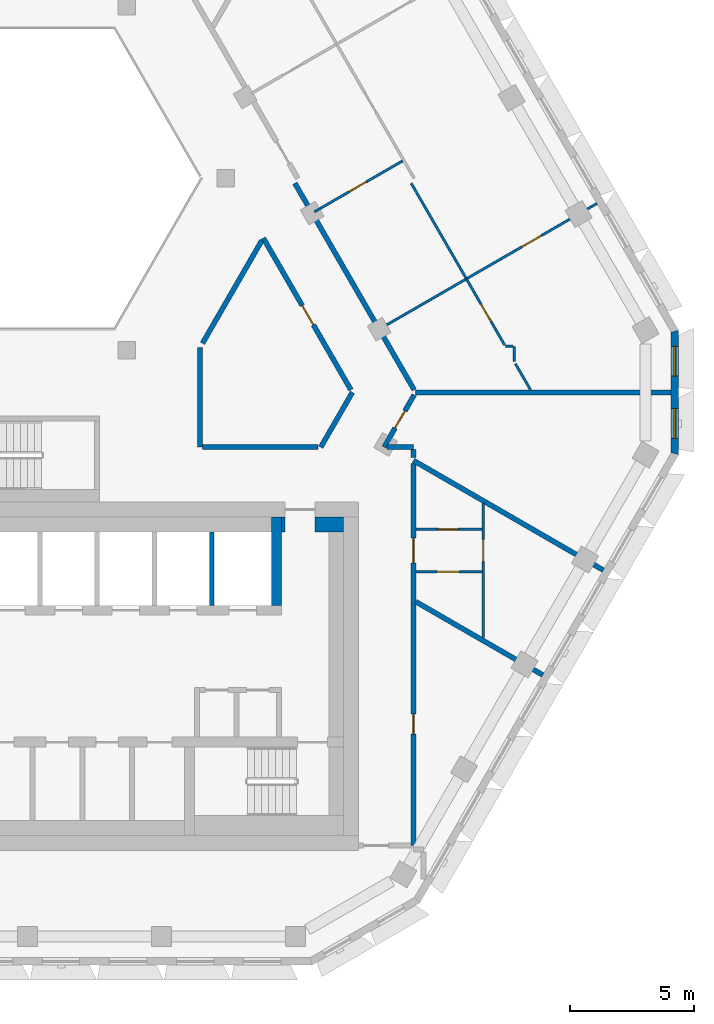
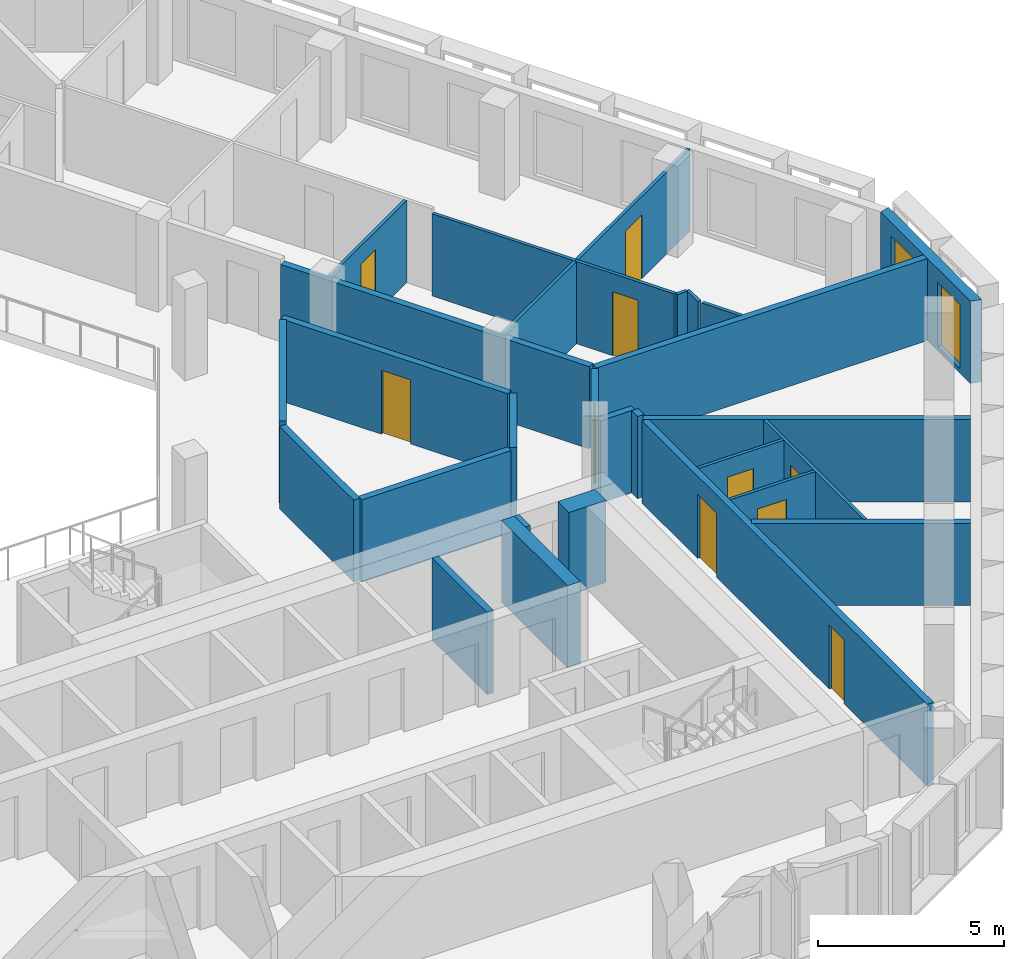
# One storey, part 6 of 17: 28 walls, 10 doors, 2 windows, 12 openings.
"""IFC4 building model written with IfcOpenShell, lengths in metres."""

from ifc_helpers import new_model, si_unit, direction, frame, frame_2d, origin, place, context, subcontext, project, spatial, polyline, rectangle, outline, extrude, material, layer, layer_set, type_object, element, fill, save


model = new_model("IFC4")

# Units and contexts
model_context = context("Model", 3, precision=1e-05, world=origin(), true_north=direction((0.0, 1.0)))
body_context = subcontext(model_context, "Body", "Model", "MODEL_VIEW")
ifc_project = project(units=[si_unit("LENGTHUNIT", "METRE"), si_unit("AREAUNIT", "SQUARE_METRE"), si_unit("VOLUMEUNIT", "CUBIC_METRE"), si_unit("PLANEANGLEUNIT", "RADIAN"), si_unit("MASSUNIT", "GRAM", prefix="KILO")], contexts=[model_context])

# Site, building, storey
site_placement = place(None, origin())
site = spatial("IfcSite", under=ifc_project, at=site_placement, CompositionType="ELEMENT")
building_placement = place(site_placement, origin())
building = spatial("IfcBuilding", under=site, at=building_placement, Name="Beryl Residences", CompositionType="ELEMENT")
storey_placement = place(building_placement, frame((0.0, 0.0, 172.199951171875)))
storey = spatial("IfcBuildingStorey", under=building, at=storey_placement, Name="L52", CompositionType="ELEMENT", Elevation=172.199951171875)

# Wall, openings, windows
ifc_material_1 = material(Name="Composite metal panel with mineral wool insulation")
ifc_layer_1 = layer(ifc_material_1, 0.300048828125)
ifc_layer_set_1 = layer_set([ifc_layer_1], Name="ES1 pale metal composite panel wall 300 mm")
wall_type_1 = type_object("IfcWallType", Name="ES1 pale metal composite panel wall 300 mm", PredefinedType="SOLIDWALL", material=ifc_layer_set_1)
wall_1_placement = place(storey_placement, frame((26.00390625, -3.10009765625, 0.0), z_axis=(0.0, 0.0, 1.0), x_axis=(0.0, 1.0, 0.0)))
wall_1 = element("IfcWall", 1, at=wall_1_placement, inside=storey, type_object=wall_type_1, Name="ES1 external wall L52 SE-NE", PredefinedType="SOLIDWALL", context=body_context, shape_type="SweptSolid", body=[
    extrude(outline(polyline([(0.0, -0.14990234375), (5.0, -0.14990234375), (4.919677734375, 0.14990234375), (0.080322265625, 0.14990234375), (0.0, -0.14990234375)])), origin(), (0.0, 0.0, 1.0), 2.699951171875),
])
opening_1_placement = place(wall_1_placement, frame((0.64990234375, 0.0, 0.14990234375)))
opening_1 = element("IfcOpeningElement", 2, at=opening_1_placement, cuts=wall_1, Name="Opening W2", PredefinedType="OPENING", context=body_context, shape_type="SweptSolid", body=[
    extrude(rectangle(XDim=1.199951171875, YDim=2.10009765625, at=frame_2d((0.60009765625, 1.050048828125))), frame((0.0, 0.159912109375, 0.0), z_axis=(0.0, -1.0, 0.0), x_axis=(1.0, 0.0, 0.0)), (0.0, 0.0, 1.0), 0.320068359375),
])
opening_2_placement = place(wall_1_placement, frame((3.14990234375, 0.0, 0.14990234375)))
opening_2 = element("IfcOpeningElement", 3, at=opening_2_placement, cuts=wall_1, Name="Opening W2", PredefinedType="OPENING", context=body_context, shape_type="SweptSolid", body=[
    extrude(rectangle(XDim=1.199951171875, YDim=2.10009765625, at=frame_2d((0.60009765625, 1.050048828125))), frame((0.0, 0.159912109375, 0.0), z_axis=(0.0, -1.0, 0.0), x_axis=(1.0, 0.0, 0.0)), (0.0, 0.0, 1.0), 0.320068359375),
])
ifc_material_2 = material(Name="Aluminium and clear glass", Category="aluminium")
window_type = type_object("IfcWindowType", Name="W2 chamfer window 1200 x 2100 mm", PartitioningType="SINGLE_PANEL", PredefinedType="WINDOW", material=ifc_material_2)
window_1_placement = place(opening_1_placement, origin())
window_1 = element("IfcWindow", 4, at=window_1_placement, inside=storey, type_object=window_type, Name="W2 window L52 SE-NE 1", OverallHeight=2.10009765625, OverallWidth=1.199951171875, PartitioningType="SINGLE_PANEL", PredefinedType="WINDOW", context=body_context, shape_type="SweptSolid", body=[
    extrude(rectangle(XDim=1.199951171875, YDim=2.10009765625, at=frame_2d((0.60009765625, 1.050048828125))), frame((0.0, 0.030029296875, 0.0), z_axis=(0.0, -1.0, 0.0), x_axis=(1.0, 0.0, 0.0)), (0.0, 0.0, 1.0), 0.06005859375),
])
fill(opening_1, window_1)
window_2_placement = place(opening_2_placement, origin())
window_2 = element("IfcWindow", 5, at=window_2_placement, inside=storey, type_object=window_type, Name="W2 window L52 SE-NE 2", OverallHeight=2.10009765625, OverallWidth=1.199951171875, PartitioningType="SINGLE_PANEL", PredefinedType="WINDOW", context=body_context, shape_type="SweptSolid", body=[
    extrude(rectangle(XDim=1.199951171875, YDim=2.10009765625, at=frame_2d((0.60009765625, 1.050048828125))), frame((0.0, 0.030029296875, 0.0), z_axis=(0.0, -1.0, 0.0), x_axis=(1.0, 0.0, 0.0)), (0.0, 0.0, 1.0), 0.06005859375),
])
fill(opening_2, window_2)

# Walls
ifc_material_3 = material(Name="Gypsum board partition on steel studs", Category="steel")
ifc_layer_2 = layer(ifc_material_3, 0.10009765625)
ifc_layer_set_2 = layer_set([ifc_layer_2], Name="PT1 partition 100 mm gypsum board on steel studs")
wall_type_2 = type_object("IfcWallType", Name="PT1 partition 100 mm gypsum board on steel studs", PredefinedType="PARTITIONING", material=ifc_layer_set_2)
wall_2_placement = place(storey_placement, frame((15.412109375, 7.800048828125, 0.0), z_axis=(0.0, 0.0, 1.0), x_axis=(0.499882970317, -0.866092960361, 0.0)))
element("IfcWall", 6, at=wall_2_placement, inside=storey, type_object=wall_type_2, Name="Wall PT1 L52 002", PredefinedType="PARTITIONING", context=body_context, shape_type="SweptSolid", body=[
    extrude(rectangle(XDim=4.4326171875, YDim=0.10009765625, at=frame_2d((2.21630859375, 0.0))), origin(), (0.0, 0.0, 1.0), 2.699951171875),
])
wall_3_placement = place(storey_placement, frame((19.596923828125, 0.551025390625, 0.0), z_axis=(0.0, 0.0, 1.0), x_axis=(0.500576018574, -0.86569258379, 0.0)))
element("IfcWall", 7, at=wall_3_placement, inside=storey, type_object=wall_type_2, Name="Wall PT1 L52 003", PredefinedType="PARTITIONING", context=body_context, shape_type="SweptSolid", body=[
    extrude(rectangle(XDim=1.212890625, YDim=0.10009765625, at=frame_2d((0.6064453125, 0.0))), origin(), (0.0, 0.0, 1.0), 2.699951171875),
])

# Wall, opening, door
wall_4_placement = place(storey_placement, frame((15.60009765625, -6.10107421875, 0.0), z_axis=(0.0, 0.0, 1.0), x_axis=(1.0, 0.0, 0.0)))
wall_4 = element("IfcWall", 8, at=wall_4_placement, inside=storey, type_object=wall_type_2, Name="Wall PT1 L52 013", PredefinedType="PARTITIONING", context=body_context, shape_type="SweptSolid", body=[
    extrude(rectangle(XDim=2.64990234375, YDim=0.10009765625, at=frame_2d((1.324951171875, 0.0))), origin(), (0.0, 0.0, 1.0), 2.699951171875),
])
opening_3_placement = place(wall_4_placement, frame((0.89990234375, 0.0, 0.0)))
opening_3 = element("IfcOpeningElement", 9, at=opening_3_placement, cuts=wall_4, Name="Opening D1422", PredefinedType="OPENING", context=body_context, shape_type="SweptSolid", body=[
    extrude(rectangle(XDim=0.800048828125, YDim=2.10009765625, at=frame_2d((0.39990234375, 1.050048828125))), frame((0.0, 0.06005859375, 0.0), z_axis=(0.0, -1.0, 0.0), x_axis=(1.0, 0.0, 0.0)), (0.0, 0.0, 1.0), 0.1201171875),
])
ifc_material_4 = material(Name="Timber door leaf", Category="wood")
door_type_1 = type_object("IfcDoorType", Name="D3 bathroom door 800 x 2100 mm", OperationType="SINGLE_SWING_LEFT", PredefinedType="DOOR", material=ifc_material_4)
door_1_placement = place(opening_3_placement, origin())
door_1 = element("IfcDoor", 10, at=door_1_placement, inside=storey, type_object=door_type_1, Name="Door D1422 L52 001", OperationType="SINGLE_SWING_RIGHT", OverallHeight=2.10009765625, OverallWidth=0.800048828125, PredefinedType="DOOR", context=body_context, shape_type="SweptSolid", body=[
    extrude(rectangle(XDim=0.800048828125, YDim=2.10009765625, at=frame_2d((0.39990234375, 1.050048828125))), frame((0.0, 0.02490234375, 0.0), z_axis=(0.0, -1.0, 0.0), x_axis=(1.0, 0.0, 0.0)), (0.0, 0.0, 1.0), 0.050048828125),
])
fill(opening_3, door_1)

wall_5_placement = place(storey_placement, frame((15.60009765625, -7.801025390625, 0.0), z_axis=(0.0, 0.0, 1.0), x_axis=(1.0, 0.0, 0.0)))
wall_5 = element("IfcWall", 11, at=wall_5_placement, inside=storey, type_object=wall_type_2, Name="Wall PT1 L52 014", PredefinedType="PARTITIONING", context=body_context, shape_type="SweptSolid", body=[
    extrude(rectangle(XDim=2.64990234375, YDim=0.10009765625, at=frame_2d((1.324951171875, 0.0))), origin(), (0.0, 0.0, 1.0), 2.699951171875),
])
opening_4_placement = place(wall_5_placement, frame((0.85009765625, 0.0, 0.0)))
opening_4 = element("IfcOpeningElement", 12, at=opening_4_placement, cuts=wall_5, Name="Opening D1423", PredefinedType="OPENING", context=body_context, shape_type="SweptSolid", body=[
    extrude(rectangle(XDim=0.89990234375, YDim=2.10009765625, at=frame_2d((0.449951171875, 1.050048828125))), frame((0.0, 0.06005859375, 0.0), z_axis=(0.0, -1.0, 0.0), x_axis=(1.0, 0.0, 0.0)), (0.0, 0.0, 1.0), 0.1201171875),
])
ifc_material_5 = material(Name="Timber door leaf", Category="wood")
door_type_2 = type_object("IfcDoorType", Name="D2 room door 900 x 2100 mm", OperationType="SINGLE_SWING_LEFT", PredefinedType="DOOR", material=ifc_material_5)
door_2_placement = place(opening_4_placement, origin())
door_2 = element("IfcDoor", 13, at=door_2_placement, inside=storey, type_object=door_type_2, Name="Door D1423 L52 001", OperationType="SINGLE_SWING_LEFT", OverallHeight=2.10009765625, OverallWidth=0.89990234375, PredefinedType="DOOR", context=body_context, shape_type="SweptSolid", body=[
    extrude(rectangle(XDim=0.89990234375, YDim=2.10009765625, at=frame_2d((0.449951171875, 1.050048828125))), frame((0.0, 0.02490234375, 0.0), z_axis=(0.0, -1.0, 0.0), x_axis=(1.0, 0.0, 0.0)), (0.0, 0.0, 1.0), 0.050048828125),
])
fill(opening_4, door_2)

# Wall
wall_6_placement = place(storey_placement, frame((19.195068359375, 1.2470703125, 0.0), z_axis=(0.0, 0.0, 1.0), x_axis=(1.0, 0.0, 0.0)))
element("IfcWall", 14, at=wall_6_placement, inside=storey, type_object=wall_type_2, Name="Wall PT1 L52 015", PredefinedType="PARTITIONING", context=body_context, shape_type="SweptSolid", body=[
    extrude(rectangle(XDim=0.302001953125, YDim=0.10009765625, at=frame_2d((0.15087890625, 0.0))), origin(), (0.0, 0.0, 1.0), 2.699951171875),
])

# Wall, opening, door
wall_7_placement = place(storey_placement, frame((18.300048828125, -10.451904296875, 0.0), z_axis=(0.0, 0.0, 1.0), x_axis=(0.0, 1.0, 0.0)))
wall_7 = element("IfcWall", 15, at=wall_7_placement, inside=storey, type_object=wall_type_2, Name="Wall PT1 L52 025", PredefinedType="PARTITIONING", context=body_context, shape_type="SweptSolid", body=[
    extrude(rectangle(XDim=5.385986328125, YDim=0.10009765625, at=frame_2d((2.69287109375, 0.0))), origin(), (0.0, 0.0, 1.0), 2.699951171875),
])
opening_5_placement = place(wall_7_placement, frame((3.051025390625, 0.0, 0.0)))
opening_5 = element("IfcOpeningElement", 16, at=opening_5_placement, cuts=wall_7, Name="Opening D1424", PredefinedType="OPENING", context=body_context, shape_type="SweptSolid", body=[
    extrude(rectangle(XDim=0.89990234375, YDim=2.10009765625, at=frame_2d((0.449951171875, 1.050048828125))), frame((0.0, 0.06005859375, 0.0), z_axis=(0.0, -1.0, 0.0), x_axis=(1.0, 0.0, 0.0)), (0.0, 0.0, 1.0), 0.1201171875),
])
door_3_placement = place(opening_5_placement, origin())
door_3 = element("IfcDoor", 17, at=door_3_placement, inside=storey, type_object=door_type_2, Name="Door D1424 L52 001", OperationType="SINGLE_SWING_RIGHT", OverallHeight=2.10009765625, OverallWidth=0.89990234375, PredefinedType="DOOR", context=body_context, shape_type="SweptSolid", body=[
    extrude(rectangle(XDim=0.89990234375, YDim=2.10009765625, at=frame_2d((0.449951171875, 1.050048828125))), frame((0.0, 0.02490234375, 0.0), z_axis=(0.0, -1.0, 0.0), x_axis=(1.0, 0.0, 0.0)), (0.0, 0.0, 1.0), 0.050048828125),
])
fill(opening_5, door_3)

# Wall
wall_8_placement = place(storey_placement, frame((19.547119140625, 0.637939453125, 0.0), z_axis=(0.0, 0.0, 1.0), x_axis=(0.0, 1.0, 0.0)))
element("IfcWall", 18, at=wall_8_placement, inside=storey, type_object=wall_type_2, Name="Wall PT1 L52 026", PredefinedType="PARTITIONING", context=body_context, shape_type="SweptSolid", body=[
    extrude(rectangle(XDim=0.609130859375, YDim=0.10009765625, at=frame_2d((0.3046875, 0.0))), origin(), (0.0, 0.0, 1.0), 2.699951171875),
])

# Wall, opening, door
wall_9_placement = place(storey_placement, frame((14.2099609375, 1.987060546875, 0.0), z_axis=(0.0, 0.0, 1.0), x_axis=(0.866022959057, 0.500004234368, 0.0)))
wall_9 = element("IfcWall", 19, at=wall_9_placement, inside=storey, type_object=wall_type_2, Name="Wall PT1 L52 032", PredefinedType="PARTITIONING", context=body_context, shape_type="SweptSolid", body=[
    extrude(rectangle(XDim=10.0, YDim=0.10009765625, at=frame_2d((5.0, 0.0))), origin(), (0.0, 0.0, 1.0), 2.699951171875),
])
opening_6_placement = place(wall_9_placement, frame((6.52294921875, 0.0, 0.0)))
opening_6 = element("IfcOpeningElement", 20, at=opening_6_placement, cuts=wall_9, Name="Opening D1430", PredefinedType="OPENING", context=body_context, shape_type="SweptSolid", body=[
    extrude(rectangle(XDim=0.89990234375, YDim=2.10009765625, at=frame_2d((0.449951171875, 1.050048828125))), frame((0.0, 0.06005859375, 0.0), z_axis=(0.0, -1.0, 0.0), x_axis=(1.0, 0.0, 0.0)), (0.0, 0.0, 1.0), 0.1201171875),
])
door_4_placement = place(opening_6_placement, origin())
door_4 = element("IfcDoor", 21, at=door_4_placement, inside=storey, type_object=door_type_2, Name="Door D1430 L52 001", OperationType="SINGLE_SWING_RIGHT", OverallHeight=2.10009765625, OverallWidth=0.89990234375, PredefinedType="DOOR", context=body_context, shape_type="SweptSolid", body=[
    extrude(rectangle(XDim=0.89990234375, YDim=2.10009765625, at=frame_2d((0.449951171875, 1.050048828125))), frame((0.0, 0.02490234375, 0.0), z_axis=(0.0, -1.0, 0.0), x_axis=(1.0, 0.0, 0.0)), (0.0, 0.0, 1.0), 0.050048828125),
])
fill(opening_6, door_4)

wall_10_placement = place(storey_placement, frame((11.51806640625, 6.64990234375, 0.0), z_axis=(0.0, 0.0, 1.0), x_axis=(0.865949381454, 0.500131651427, 0.0)))
wall_10 = element("IfcWall", 22, at=wall_10_placement, inside=storey, type_object=wall_type_2, Name="Wall PT1 L52 033", PredefinedType="PARTITIONING", context=body_context, shape_type="SweptSolid", body=[
    extrude(rectangle(XDim=4.09716796875, YDim=0.10009765625, at=frame_2d((2.048583984375, 0.0))), origin(), (0.0, 0.0, 1.0), 2.699951171875),
])
opening_7_placement = place(wall_10_placement, frame((1.623046875, 0.0, 0.0)))
opening_7 = element("IfcOpeningElement", 23, at=opening_7_placement, cuts=wall_10, Name="Opening D1428", PredefinedType="OPENING", context=body_context, shape_type="SweptSolid", body=[
    extrude(rectangle(XDim=0.800048828125, YDim=2.10009765625, at=frame_2d((0.39990234375, 1.050048828125))), frame((0.0, 0.06005859375, 0.0), z_axis=(0.0, -1.0, 0.0), x_axis=(1.0, 0.0, 0.0)), (0.0, 0.0, 1.0), 0.1201171875),
])
door_5_placement = place(opening_7_placement, origin())
door_5 = element("IfcDoor", 24, at=door_5_placement, inside=storey, type_object=door_type_1, Name="Door D1428 L52 001", OperationType="SINGLE_SWING_RIGHT", OverallHeight=2.10009765625, OverallWidth=0.800048828125, PredefinedType="DOOR", context=body_context, shape_type="SweptSolid", body=[
    extrude(rectangle(XDim=0.800048828125, YDim=2.10009765625, at=frame_2d((0.39990234375, 1.050048828125))), frame((0.0, 0.02490234375, 0.0), z_axis=(0.0, -1.0, 0.0), x_axis=(1.0, 0.0, 0.0)), (0.0, 0.0, 1.0), 0.050048828125),
])
fill(opening_7, door_5)

wall_11_placement = place(storey_placement, frame((17.6279296875, 3.9609375, 0.0), z_axis=(0.0, 0.0, 1.0), x_axis=(0.50003162148, -0.866007146345, 0.0)))
wall_11 = element("IfcWall", 25, at=wall_11_placement, inside=storey, type_object=wall_type_2, Name="Wall PT1 L52 038", PredefinedType="PARTITIONING", context=body_context, shape_type="SweptSolid", body=[
    extrude(rectangle(XDim=3.075927734375, YDim=0.10009765625, at=frame_2d((1.5380859375, 0.0))), origin(), (0.0, 0.0, 1.0), 2.699951171875),
])
opening_8_placement = place(wall_11_placement, frame((1.1669921875, 0.0, 0.0)))
opening_8 = element("IfcOpeningElement", 26, at=opening_8_placement, cuts=wall_11, Name="Opening D1433", PredefinedType="OPENING", context=body_context, shape_type="SweptSolid", body=[
    extrude(rectangle(XDim=0.800048828125, YDim=2.10009765625, at=frame_2d((0.39990234375, 1.050048828125))), frame((0.0, 0.06005859375, 0.0), z_axis=(0.0, -1.0, 0.0), x_axis=(1.0, 0.0, 0.0)), (0.0, 0.0, 1.0), 0.1201171875),
])
door_6_placement = place(opening_8_placement, origin())
door_6 = element("IfcDoor", 27, at=door_6_placement, inside=storey, type_object=door_type_1, Name="Door D1433 L52 001", OperationType="SINGLE_SWING_LEFT", OverallHeight=2.10009765625, OverallWidth=0.800048828125, PredefinedType="DOOR", context=body_context, shape_type="SweptSolid", body=[
    extrude(rectangle(XDim=0.800048828125, YDim=2.10009765625, at=frame_2d((0.39990234375, 1.050048828125))), frame((0.0, 0.02490234375, 0.0), z_axis=(0.0, -1.0, 0.0), x_axis=(1.0, 0.0, 0.0)), (0.0, 0.0, 1.0), 0.050048828125),
])
fill(opening_8, door_6)

# Walls
ifc_material_6 = material(Name="Concrete masonry", Category="masonry")
ifc_layer_3 = layer(ifc_material_6, 0.14990234375)
ifc_layer_set_3 = layer_set([ifc_layer_3], Name="PT13-150 lobby wall 150 mm")
wall_type_3 = type_object("IfcWallType", Name="PT13-150 lobby wall 150 mm", PredefinedType="PARTITIONING", material=ifc_layer_set_3)
wall_12_placement = place(storey_placement, frame((10.27490234375, -6.199951171875, 0.0), z_axis=(0.0, 0.0, 1.0), x_axis=(0.0, 1.0, 0.0)))
element("IfcWall", 28, at=wall_12_placement, inside=storey, type_object=wall_type_3, Name="Lobby wall 31", PredefinedType="PARTITIONING", context=body_context, shape_type="SweptSolid", body=[
    extrude(rectangle(XDim=0.599853515625, YDim=0.14990234375, at=frame_2d((0.2998046875, 0.0))), origin(), (0.0, 0.0, 1.0), 2.699951171875),
])
ifc_material_7 = material(Name="Concrete masonry", Category="masonry")
ifc_layer_4 = layer(ifc_material_7, 0.60009765625)
ifc_layer_set_4 = layer_set([ifc_layer_4], Name="PT13-600 lobby wall 600 mm")
wall_type_4 = type_object("IfcWallType", Name="PT13-600 lobby wall 600 mm", PredefinedType="PARTITIONING", material=ifc_layer_set_4)
wall_13_placement = place(storey_placement, frame((11.550048828125, -5.89990234375, 0.0), z_axis=(0.0, 0.0, 1.0), x_axis=(1.0, 0.0, 0.0)))
element("IfcWall", 29, at=wall_13_placement, inside=storey, type_object=wall_type_4, Name="Lobby wall 32", PredefinedType="PARTITIONING", context=body_context, shape_type="SweptSolid", body=[
    extrude(rectangle(XDim=1.14990234375, YDim=0.60009765625, at=frame_2d((0.574951171875, 0.0))), origin(), (0.0, 0.0, 1.0), 2.699951171875),
])
ifc_material_8 = material(Name="Acoustic double stud gypsum board wall")
ifc_layer_5 = layer(ifc_material_8, 0.199951171875)
ifc_layer_set_5 = layer_set([ifc_layer_5], Name="PT3 party wall 200 mm acoustic double stud")
wall_type_5 = type_object("IfcWallType", Name="PT3 party wall 200 mm acoustic double stud", PredefinedType="PARTITIONING", material=ifc_layer_set_5)
wall_14_placement = place(storey_placement, frame((15.60009765625, -9.008056640625, 0.0), z_axis=(0.0, 0.0, 1.0), x_axis=(0.866013576751, -0.500020484464, 0.0)))
element("IfcWall", 30, at=wall_14_placement, inside=storey, type_object=wall_type_5, Name="Wall PT3 L52 004", PredefinedType="PARTITIONING", context=body_context, shape_type="SweptSolid", body=[
    extrude(rectangle(XDim=5.885498046875, YDim=0.199951171875, at=frame_2d((2.94287109375, 0.0))), origin(), (0.0, 0.0, 1.0), 2.699951171875),
])
wall_15_placement = place(storey_placement, frame((15.5, -3.333984375, 0.0), z_axis=(0.0, 0.0, 1.0), x_axis=(0.866001896501, -0.5000407136, 0.0)))
element("IfcWall", 31, at=wall_15_placement, inside=storey, type_object=wall_type_5, Name="Wall PT3 L52 005", PredefinedType="PARTITIONING", context=body_context, shape_type="SweptSolid", body=[
    extrude(rectangle(XDim=8.809326171875, YDim=0.199951171875, at=frame_2d((4.40478515625, 0.0))), origin(), (0.0, 0.0, 1.0), 2.699951171875),
])
wall_16_placement = place(storey_placement, frame((15.587890625, -0.59912109375, 0.0), z_axis=(0.0, 0.0, 1.0), x_axis=(1.0, 0.0, 0.0)))
element("IfcWall", 32, at=wall_16_placement, inside=storey, type_object=wall_type_5, Name="Wall PT3 L52 008", PredefinedType="PARTITIONING", context=body_context, shape_type="SweptSolid", body=[
    extrude(rectangle(XDim=10.26611328125, YDim=0.199951171875, at=frame_2d((5.133056640625, 0.0))), origin(), (0.0, 0.0, 1.0), 2.699951171875),
])

# Wall, opening, door
ifc_material_9 = material(Name="Double stud gypsum board wall")
ifc_layer_6 = layer(ifc_material_9, 0.199951171875)
ifc_layer_set_6 = layer_set([ifc_layer_6], Name="PT4 corridor wall 200 mm double stud")
wall_type_6 = type_object("IfcWallType", Name="PT4 corridor wall 200 mm double stud", PredefinedType="PARTITIONING", material=ifc_layer_set_6)
wall_17_placement = place(storey_placement, frame((9.468994140625, 5.60009765625, 0.0), z_axis=(0.0, 0.0, 1.0), x_axis=(0.499964524401, -0.866045884662, 0.0)))
wall_17 = element("IfcWall", 33, at=wall_17_placement, inside=storey, type_object=wall_type_6, Name="Wall PT4 L52 004", PredefinedType="PARTITIONING", context=body_context, shape_type="SweptSolid", body=[
    extrude(rectangle(XDim=7.04248046875, YDim=0.199951171875, at=frame_2d((3.521240234375, 0.0))), origin(), (0.0, 0.0, 1.0), 2.699951171875),
])
opening_9_placement = place(wall_17_placement, frame((3.12890625, 0.0, 0.0)))
opening_9 = element("IfcOpeningElement", 34, at=opening_9_placement, cuts=wall_17, Name="Opening D1439", PredefinedType="OPENING", context=body_context, shape_type="SweptSolid", body=[
    extrude(rectangle(XDim=0.89990234375, YDim=2.10009765625, at=frame_2d((0.449951171875, 1.050048828125))), frame((0.0, 0.10986328125, 0.0), z_axis=(0.0, -1.0, 0.0), x_axis=(1.0, 0.0, 0.0)), (0.0, 0.0, 1.0), 0.219970703125),
])
door_7_placement = place(opening_9_placement, origin())
door_7 = element("IfcDoor", 35, at=door_7_placement, inside=storey, type_object=door_type_2, Name="Door D1439 L52 001", OperationType="SINGLE_SWING_LEFT", OverallHeight=2.10009765625, OverallWidth=0.89990234375, PredefinedType="DOOR", context=body_context, shape_type="SweptSolid", body=[
    extrude(rectangle(XDim=0.89990234375, YDim=2.10009765625, at=frame_2d((0.449951171875, 1.050048828125))), frame((0.0, 0.02490234375, 0.0), z_axis=(0.0, -1.0, 0.0), x_axis=(1.0, 0.0, 0.0)), (0.0, 0.0, 1.0), 0.050048828125),
])
fill(opening_9, door_7)

# Walls
wall_18_placement = place(storey_placement, frame((10.739013671875, 7.800048828125, 0.0), z_axis=(0.0, 0.0, 1.0), x_axis=(0.499964311759, -0.86604600742, 0.0)))
element("IfcWall", 36, at=wall_18_placement, inside=storey, type_object=wall_type_6, Name="Wall PT4 L52 005", PredefinedType="PARTITIONING", context=body_context, shape_type="SweptSolid", body=[
    extrude(rectangle(XDim=9.582763671875, YDim=0.199951171875, at=frame_2d((4.79150390625, 0.0))), origin(), (0.0, 0.0, 1.0), 2.699951171875),
])
wall_19_placement = place(storey_placement, frame((15.5, -2.90087890625, 0.0), z_axis=(0.0, 0.0, 1.0), x_axis=(0.0, -1.0, 0.0)))
element("IfcWall", 37, at=wall_19_placement, inside=storey, type_object=wall_type_6, Name="Wall PT4 L52 007", PredefinedType="PARTITIONING", context=body_context, shape_type="SweptSolid", body=[
    extrude(rectangle(XDim=0.318115234375, YDim=0.199951171875, at=frame_2d((0.1591796875, 0.0))), origin(), (0.0, 0.0, 1.0), 2.699951171875),
])
wall_20_placement = place(storey_placement, frame((7.028076171875, -2.800048828125, 0.0), z_axis=(0.0, 0.0, 1.0), x_axis=(1.0, 0.0, 0.0)))
element("IfcWall", 38, at=wall_20_placement, inside=storey, type_object=wall_type_6, Name="Wall PT4 L52 012", PredefinedType="PARTITIONING", context=body_context, shape_type="SweptSolid", body=[
    extrude(rectangle(XDim=4.634033203125, YDim=0.199951171875, at=frame_2d((2.31689453125, 0.0))), origin(), (0.0, 0.0, 1.0), 2.699951171875),
])
wall_21_placement = place(storey_placement, frame((14.43310546875, -2.800048828125, 0.0), z_axis=(0.0, 0.0, 1.0), x_axis=(1.0, 0.0, 0.0)))
element("IfcWall", 39, at=wall_21_placement, inside=storey, type_object=wall_type_6, Name="Wall PT4 L52 013", PredefinedType="PARTITIONING", context=body_context, shape_type="SweptSolid", body=[
    extrude(rectangle(XDim=1.06591796875, YDim=0.199951171875, at=frame_2d((0.532958984375, 0.0))), origin(), (0.0, 0.0, 1.0), 2.699951171875),
])
wall_22_placement = place(storey_placement, frame((7.028076171875, 1.373046875, 0.0), z_axis=(0.0, 0.0, 1.0), x_axis=(0.499953126767, 0.866052464367, 0.0)))
element("IfcWall", 40, at=wall_22_placement, inside=storey, type_object=wall_type_6, Name="Wall PT4 L52 016", PredefinedType="PARTITIONING", context=body_context, shape_type="SweptSolid", body=[
    extrude(rectangle(XDim=4.76416015625, YDim=0.199951171875, at=frame_2d((2.382080078125, 0.0))), origin(), (0.0, 0.0, 1.0), 2.699951171875),
])
wall_23_placement = place(storey_placement, frame((11.777099609375, -2.800048828125, 0.0), z_axis=(0.0, 0.0, 1.0), x_axis=(0.500085537782, 0.86597601289, 0.0)))
element("IfcWall", 41, at=wall_23_placement, inside=storey, type_object=wall_type_6, Name="Wall PT4 L52 017", PredefinedType="PARTITIONING", context=body_context, shape_type="SweptSolid", body=[
    extrude(rectangle(XDim=2.54150390625, YDim=0.199951171875, at=frame_2d((1.270751953125, 0.0))), origin(), (0.0, 0.0, 1.0), 2.699951171875),
])

# Wall, opening, door
wall_24_placement = place(storey_placement, frame((14.318115234375, -2.800048828125, 0.0), z_axis=(0.0, 0.0, 1.0), x_axis=(0.49964693309, 0.866229151122, 0.0)))
wall_24 = element("IfcWall", 42, at=wall_24_placement, inside=storey, type_object=wall_type_6, Name="Wall PT4 L52 018", PredefinedType="PARTITIONING", context=body_context, shape_type="SweptSolid", body=[
    extrude(rectangle(XDim=2.425537109375, YDim=0.199951171875, at=frame_2d((1.212890625, 0.0))), origin(), (0.0, 0.0, 1.0), 2.699951171875),
])
opening_10_placement = place(wall_24_placement, frame((0.885986328125, 0.0, 0.0)))
opening_10 = element("IfcOpeningElement", 43, at=opening_10_placement, cuts=wall_24, Name="Opening D1425", PredefinedType="OPENING", context=body_context, shape_type="SweptSolid", body=[
    extrude(rectangle(XDim=0.800048828125, YDim=2.10009765625, at=frame_2d((0.39990234375, 1.050048828125))), frame((0.0, 0.10986328125, 0.0), z_axis=(0.0, -1.0, 0.0), x_axis=(1.0, 0.0, 0.0)), (0.0, 0.0, 1.0), 0.219970703125),
])
door_8_placement = place(opening_10_placement, origin())
door_8 = element("IfcDoor", 44, at=door_8_placement, inside=storey, type_object=door_type_1, Name="Door D1425 L52 001", OperationType="SINGLE_SWING_LEFT", OverallHeight=2.10009765625, OverallWidth=0.800048828125, PredefinedType="DOOR", context=body_context, shape_type="SweptSolid", body=[
    extrude(rectangle(XDim=0.800048828125, YDim=2.10009765625, at=frame_2d((0.39990234375, 1.050048828125))), frame((0.0, 0.02490234375, 0.0), z_axis=(0.0, -1.0, 0.0), x_axis=(1.0, 0.0, 0.0)), (0.0, 0.0, 1.0), 0.050048828125),
])
fill(opening_10, door_8)

# Wall
wall_25_placement = place(storey_placement, frame((6.927978515625, -2.800048828125, 0.0), z_axis=(0.0, 0.0, 1.0), x_axis=(0.0, 1.0, 0.0)))
element("IfcWall", 45, at=wall_25_placement, inside=storey, type_object=wall_type_6, Name="Wall PT4 L52 022", PredefinedType="PARTITIONING", context=body_context, shape_type="SweptSolid", body=[
    extrude(rectangle(XDim=4.0, YDim=0.199951171875, at=frame_2d((2.0, 0.0))), origin(), (0.0, 0.0, 1.0), 2.699951171875),
])

# Wall, openings, doors
wall_26_placement = place(storey_placement, frame((15.5, -18.799072265625, 0.0), z_axis=(0.0, 0.0, 1.0), x_axis=(0.0, 1.0, 0.0)))
wall_26 = element("IfcWall", 46, at=wall_26_placement, inside=storey, type_object=wall_type_6, Name="Wall PT4 L52 023", PredefinedType="PARTITIONING", context=body_context, shape_type="SweptSolid", body=[
    extrude(rectangle(XDim=15.34912109375, YDim=0.199951171875, at=frame_2d((7.674560546875, 0.0))), origin(), (0.0, 0.0, 1.0), 2.699951171875),
])
opening_11_placement = place(wall_26_placement, frame((4.47705078125, 0.0, 0.0)))
opening_11 = element("IfcOpeningElement", 47, at=opening_11_placement, cuts=wall_26, Name="Opening D1420", PredefinedType="OPENING", context=body_context, shape_type="SweptSolid", body=[
    extrude(rectangle(XDim=0.800048828125, YDim=2.10009765625, at=frame_2d((0.39990234375, 1.050048828125))), frame((0.0, 0.10986328125, 0.0), z_axis=(0.0, -1.0, 0.0), x_axis=(1.0, 0.0, 0.0)), (0.0, 0.0, 1.0), 0.219970703125),
])
opening_12_placement = place(wall_26_placement, frame((11.347900390625, 0.0, 0.0)))
opening_12 = element("IfcOpeningElement", 48, at=opening_12_placement, cuts=wall_26, Name="Opening D1421", PredefinedType="OPENING", context=body_context, shape_type="SweptSolid", body=[
    extrude(rectangle(XDim=1.0, YDim=2.10009765625, at=frame_2d((0.5, 1.050048828125))), frame((0.0, 0.10986328125, 0.0), z_axis=(0.0, -1.0, 0.0), x_axis=(1.0, 0.0, 0.0)), (0.0, 0.0, 1.0), 0.219970703125),
])
ifc_material_10 = material(Name="Timber door leaf", Category="wood")
door_type_3 = type_object("IfcDoorType", Name="D1 flat entrance door 1000 x 2100 mm", OperationType="SINGLE_SWING_LEFT", PredefinedType="DOOR", material=ifc_material_10)
door_9_placement = place(opening_12_placement, origin())
door_9 = element("IfcDoor", 49, at=door_9_placement, inside=storey, type_object=door_type_3, Name="Door D1421 L52 001", OperationType="SINGLE_SWING_LEFT", OverallHeight=2.10009765625, OverallWidth=1.0, PredefinedType="DOOR", context=body_context, shape_type="SweptSolid", body=[
    extrude(rectangle(XDim=1.0, YDim=2.10009765625, at=frame_2d((0.5, 1.050048828125))), frame((0.0, 0.02490234375, 0.0), z_axis=(0.0, -1.0, 0.0), x_axis=(1.0, 0.0, 0.0)), (0.0, 0.0, 1.0), 0.050048828125),
])
fill(opening_12, door_9)
door_10_placement = place(opening_11_placement, origin())
door_10 = element("IfcDoor", 50, at=door_10_placement, inside=storey, type_object=door_type_1, Name="Door D1420 L52 001", OperationType="SINGLE_SWING_RIGHT", OverallHeight=2.10009765625, OverallWidth=0.800048828125, PredefinedType="DOOR", context=body_context, shape_type="SweptSolid", body=[
    extrude(rectangle(XDim=0.800048828125, YDim=2.10009765625, at=frame_2d((0.39990234375, 1.050048828125))), frame((0.0, 0.02490234375, 0.0), z_axis=(0.0, -1.0, 0.0), x_axis=(1.0, 0.0, 0.0)), (0.0, 0.0, 1.0), 0.050048828125),
])
fill(opening_11, door_10)

# Walls
ifc_material_11 = material(Name="Concrete C40/50", Category="concrete")
ifc_layer_7 = layer(ifc_material_11, 0.199951171875)
ifc_layer_set_7 = layer_set([ifc_layer_7], Name="PT6 lift shaft wall 200 mm reinforced concrete C40/50")
wall_type_7 = type_object("IfcWallType", Name="PT6 lift shaft wall 200 mm reinforced concrete C40/50", PredefinedType="SOLIDWALL", material=ifc_layer_set_7)
wall_27_placement = place(storey_placement, frame((7.39990234375, -9.14990234375, 0.0), z_axis=(0.0, 0.0, 1.0), x_axis=(0.0, 1.0, 0.0)))
element("IfcWall", 51, at=wall_27_placement, inside=storey, type_object=wall_type_7, Name="Lift shaft wall 28", PredefinedType="SOLIDWALL", context=body_context, shape_type="SweptSolid", body=[
    extrude(rectangle(XDim=2.949951171875, YDim=0.199951171875, at=frame_2d((1.47509765625, 0.0))), origin(), (0.0, 0.0, 1.0), 2.699951171875),
])
ifc_material_12 = material(Name="Concrete C50/60", Category="concrete")
ifc_layer_8 = layer(ifc_material_12, 0.39990234375)
ifc_layer_set_8 = layer_set([ifc_layer_8], Name="SW9 core internal wall 400 mm C50/60")
wall_type_8 = type_object("IfcWallType", Name="SW9 core internal wall 400 mm C50/60", PredefinedType="SHEAR", material=ifc_layer_set_8)
wall_28_placement = place(storey_placement, frame((10.0, -9.14990234375, 0.0), z_axis=(0.0, 0.0, 1.0), x_axis=(0.0, 1.0, 0.0)))
element("IfcWall", 52, at=wall_28_placement, inside=storey, type_object=wall_type_8, Name="Core wall XN2 L52", PredefinedType="SHEAR", context=body_context, shape_type="SweptSolid", body=[
    extrude(rectangle(XDim=3.5498046875, YDim=0.39990234375, at=frame_2d((1.77490234375, 0.0))), origin(), (0.0, 0.0, 1.0), 2.699951171875),
])

save(model, "model.ifc")
